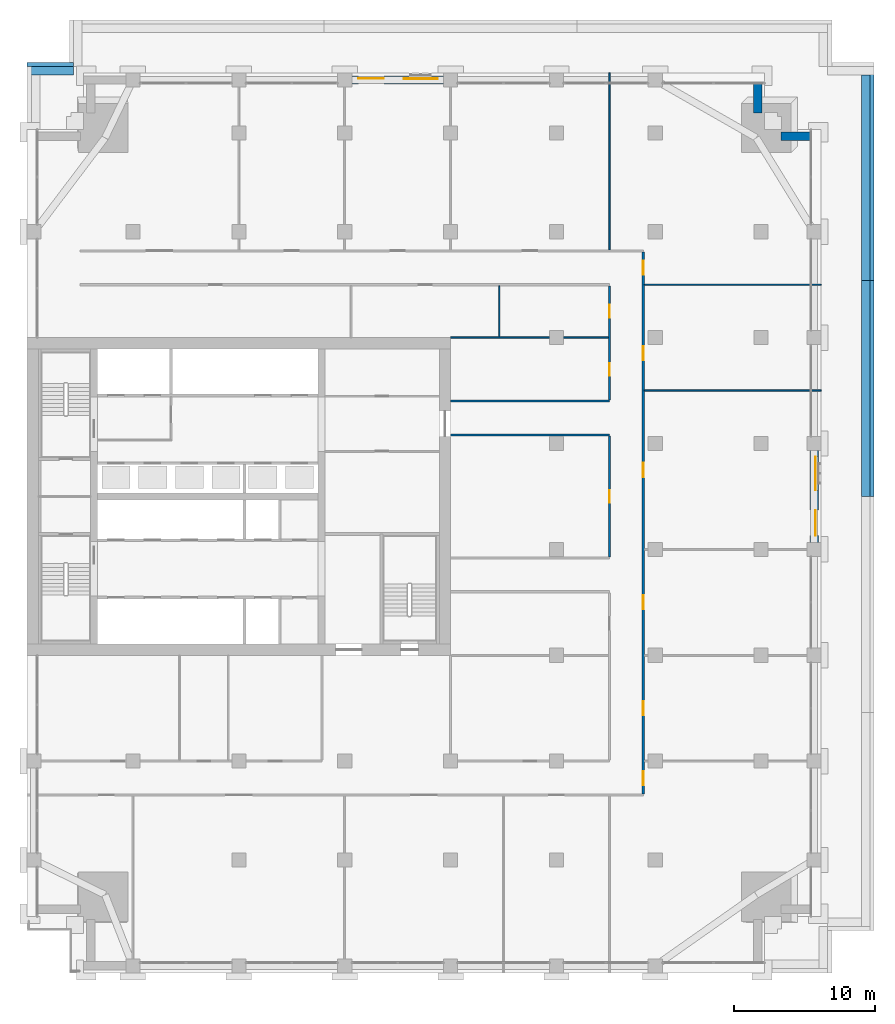
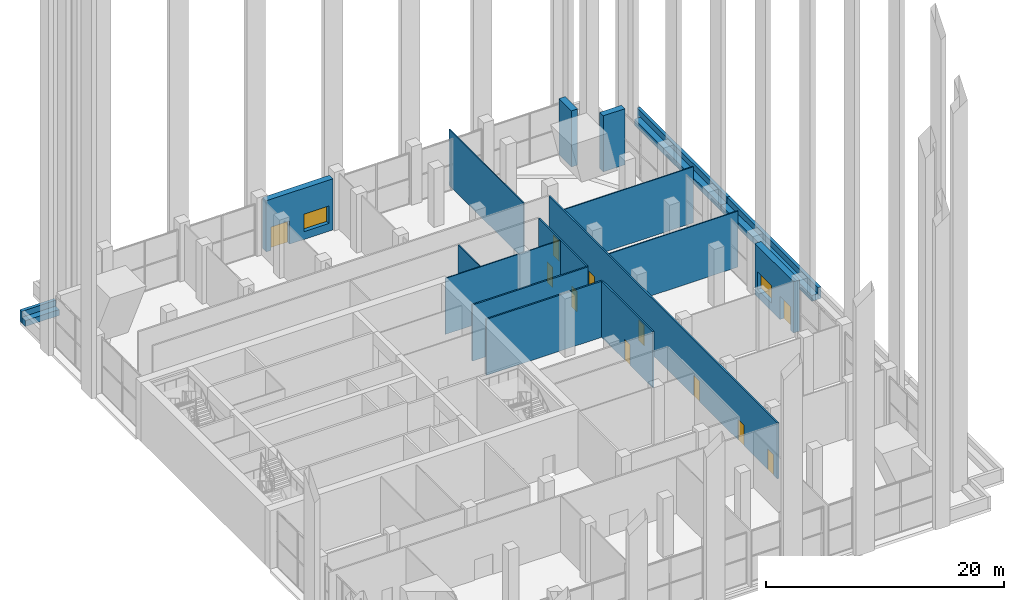
# One storey, part 15 of 23: 20 walls, 11 doors, 2 windows, 13 openings.
"""IFC4 building model written with IfcOpenShell, lengths in metres."""

from ifc_helpers import new_model, si_unit, direction, frame, frame_2d, origin, place, context, subcontext, project, spatial, rectangle, extrude, material, layer, layer_set, type_object, element, fill, save


model = new_model("IFC4")

# Units and contexts
model_context = context("Model", 3, precision=1e-05, world=origin(), true_north=direction((0.0, 1.0)))
body_context = subcontext(model_context, "Body", "Model", "MODEL_VIEW")
ifc_project = project(units=[si_unit("LENGTHUNIT", "METRE"), si_unit("AREAUNIT", "SQUARE_METRE"), si_unit("VOLUMEUNIT", "CUBIC_METRE"), si_unit("PLANEANGLEUNIT", "RADIAN"), si_unit("MASSUNIT", "GRAM", prefix="KILO")], contexts=[model_context])

# Site, building, storey
site_placement = place(None, origin())
site = spatial("IfcSite", under=ifc_project, at=site_placement, CompositionType="ELEMENT")
building_placement = place(site_placement, origin())
building = spatial("IfcBuilding", under=site, at=building_placement, Name="Tamorin Gate", CompositionType="ELEMENT")
storey_placement = place(building_placement, frame((0.0, 0.0, 124.199951171875)))
storey = spatial("IfcBuildingStorey", under=building, at=storey_placement, Name="L30", CompositionType="ELEMENT", Elevation=124.199951171875)

# Wall, openings, window, door
ifc_material_1 = material(Name="Precast concrete C40/50", Category="concrete")
ifc_layer_1 = layer(ifc_material_1, 0.60009765625)
ifc_layer_set_1 = layer_set([ifc_layer_1], Name="Precast concrete C40/50")
wall_type_1 = type_object("IfcWallType", Name="Board-marked concrete facade panel 600", PredefinedType="SOLIDWALL", material=ifc_layer_set_1)
wall_1_placement = place(storey_placement, frame((85.75, 68.0, 0.0), z_axis=(0.0, 0.0, 1.0), x_axis=(0.0, 1.0, 0.0)))
wall_1 = element("IfcWall", 1, at=wall_1_placement, inside=storey, type_object=wall_type_1, Name="Facade panel", PredefinedType="SOLIDWALL", context=body_context, shape_type="SweptSolid", body=[
    extrude(rectangle(XDim=6.5, YDim=0.60009765625, at=frame_2d((3.25, 0.0))), origin(), (0.0, 0.0, 1.0), 5.25),
])
opening_1_placement = place(wall_1_placement, frame((0.47509765625, 0.0, 0.0)))
opening_1 = element("IfcOpeningElement", 2, at=opening_1_placement, cuts=wall_1, Name="Opening DX1", PredefinedType="OPENING", context=body_context, shape_type="SweptSolid", body=[
    extrude(rectangle(XDim=1.800048828125, YDim=2.39990234375, at=frame_2d((0.89990234375, 1.199951171875))), frame((0.0, 0.31005859375, 0.0), z_axis=(0.0, -1.0, 0.0), x_axis=(1.0, 0.0, 0.0)), (0.0, 0.0, 1.0), 0.6201171875),
])
opening_2_placement = place(wall_1_placement, frame((3.675048828125, 0.0, 0.800048828125)))
opening_2 = element("IfcOpeningElement", 3, at=opening_2_placement, cuts=wall_1, Name="Opening WN1", PredefinedType="OPENING", context=body_context, shape_type="SweptSolid", body=[
    extrude(rectangle(XDim=2.39990234375, YDim=1.800048828125, at=frame_2d((1.199951171875, 0.89990234375))), frame((0.0, 0.31005859375, 0.0), z_axis=(0.0, -1.0, 0.0), x_axis=(1.0, 0.0, 0.0)), (0.0, 0.0, 1.0), 0.6201171875),
])
ifc_material_2 = material(Name="Clear glass in aluminium frame", Category="aluminium")
window_type = type_object("IfcWindowType", Name="Deep-set window 2400x1800", PartitioningType="SINGLE_PANEL", PredefinedType="WINDOW", material=ifc_material_2)
window_1_placement = place(opening_2_placement, origin())
window_1 = element("IfcWindow", 4, at=window_1_placement, inside=storey, type_object=window_type, Name="Deep-set window", OverallHeight=1.800048828125, OverallWidth=2.39990234375, PartitioningType="SINGLE_PANEL", PredefinedType="WINDOW", context=body_context, shape_type="SweptSolid", body=[
    extrude(rectangle(XDim=2.39990234375, YDim=1.800048828125, at=frame_2d((1.199951171875, 0.89990234375))), frame((0.0, -0.070068359375, 0.0), z_axis=(0.0, -1.0, 0.0), x_axis=(1.0, 0.0, 0.0)), (0.0, 0.0, 1.0), 0.06005859375),
])
fill(opening_2, window_1)
door_type_1 = type_object("IfcDoorType", Name="Terrace door 1800x2400", OperationType="DOUBLE_DOOR_SINGLE_SWING", PredefinedType="DOOR", material=ifc_material_2)
door_1_placement = place(opening_1_placement, origin())
door_1 = element("IfcDoor", 5, at=door_1_placement, inside=storey, type_object=door_type_1, Name="Terrace door", OperationType="SINGLE_SWING_LEFT", OverallHeight=2.39990234375, OverallWidth=1.800048828125, PredefinedType="DOOR", context=body_context, shape_type="SweptSolid", body=[
    extrude(rectangle(XDim=1.800048828125, YDim=2.39990234375, at=frame_2d((0.89990234375, 1.199951171875))), frame((0.0, -0.0751953125, 0.0), z_axis=(0.0, -1.0, 0.0), x_axis=(1.0, 0.0, 0.0)), (0.0, 0.0, 1.0), 0.050048828125),
])
fill(opening_1, door_1)

# Walls
for number, where, z_axis, x_axis, name in (
    (6, (85.51611328125, 96.75, 0.0), (0.0, 0.0, 1.0), (-1.0, 0.0, 0.0), "Facade panel"),
    (7, (81.75, 98.40625, 0.0), (0.0, 0.0, 1.0), (0.0, 1.0, 0.0), "Facade panel"),
):
    element("IfcWall", number, at=place(storey_placement, frame(where, z_axis=z_axis, x_axis=x_axis)), inside=storey, type_object=wall_type_1, Name=name, PredefinedType="SOLIDWALL", context=body_context, shape_type="SweptSolid", body=[
        extrude(rectangle(XDim=2.10986328125, YDim=0.60009765625, at=frame_2d((1.054931640625, 0.0))), origin(), (0.0, 0.0, 1.0), 5.75),
    ])

# Wall, openings, window, door
wall_2_placement = place(storey_placement, frame((59.5, 100.75, 0.0), z_axis=(0.0, 0.0, 1.0), x_axis=(-1.0, 0.0, 0.0)))
wall_2 = element("IfcWall", 8, at=wall_2_placement, inside=storey, type_object=wall_type_1, Name="Facade panel", PredefinedType="SOLIDWALL", context=body_context, shape_type="SweptSolid", body=[
    extrude(rectangle(XDim=6.5, YDim=0.60009765625, at=frame_2d((3.25, 0.0))), origin(), (0.0, 0.0, 1.0), 5.25),
])
opening_3_placement = place(wall_2_placement, frame((4.22509765625, 0.0, 0.0)))
opening_3 = element("IfcOpeningElement", 9, at=opening_3_placement, cuts=wall_2, Name="Opening DX1", PredefinedType="OPENING", context=body_context, shape_type="SweptSolid", body=[
    extrude(rectangle(XDim=1.800048828125, YDim=2.39990234375, at=frame_2d((0.89990234375, 1.199951171875))), frame((0.0, 0.31005859375, 0.0), z_axis=(0.0, -1.0, 0.0), x_axis=(1.0, 0.0, 0.0)), (0.0, 0.0, 1.0), 0.6201171875),
])
opening_4_placement = place(wall_2_placement, frame((0.425048828125, 0.0, 0.800048828125)))
opening_4 = element("IfcOpeningElement", 10, at=opening_4_placement, cuts=wall_2, Name="Opening WN1", PredefinedType="OPENING", context=body_context, shape_type="SweptSolid", body=[
    extrude(rectangle(XDim=2.39990234375, YDim=1.800048828125, at=frame_2d((1.199951171875, 0.89990234375))), frame((0.0, 0.31005859375, 0.0), z_axis=(0.0, -1.0, 0.0), x_axis=(1.0, 0.0, 0.0)), (0.0, 0.0, 1.0), 0.6201171875),
])
window_2_placement = place(opening_4_placement, origin())
window_2 = element("IfcWindow", 11, at=window_2_placement, inside=storey, type_object=window_type, Name="Deep-set window", OverallHeight=1.800048828125, OverallWidth=2.39990234375, PartitioningType="SINGLE_PANEL", PredefinedType="WINDOW", context=body_context, shape_type="SweptSolid", body=[
    extrude(rectangle(XDim=2.39990234375, YDim=1.800048828125, at=frame_2d((1.199951171875, 0.89990234375))), frame((0.0, -0.070068359375, 0.0), z_axis=(0.0, -1.0, 0.0), x_axis=(1.0, 0.0, 0.0)), (0.0, 0.0, 1.0), 0.06005859375),
])
fill(opening_4, window_2)
door_2_placement = place(opening_3_placement, origin())
door_2 = element("IfcDoor", 12, at=door_2_placement, inside=storey, type_object=door_type_1, Name="Terrace door", OperationType="SINGLE_SWING_LEFT", OverallHeight=2.39990234375, OverallWidth=1.800048828125, PredefinedType="DOOR", context=body_context, shape_type="SweptSolid", body=[
    extrude(rectangle(XDim=1.800048828125, YDim=2.39990234375, at=frame_2d((0.89990234375, 1.199951171875))), frame((0.0, -0.0751953125, 0.0), z_axis=(0.0, -1.0, 0.0), x_axis=(1.0, 0.0, 0.0)), (0.0, 0.0, 1.0), 0.050048828125),
])
fill(opening_3, door_2)

# Wall, opening, door
ifc_material_3 = material(Name="Gypsum board partition")
ifc_layer_2 = layer(ifc_material_3, 0.14990234375)
ifc_layer_set_2 = layer_set([ifc_layer_2], Name="Corridor wall 150")
wall_type_2 = type_object("IfcWallType", Name="Corridor wall 150", PredefinedType="PARTITIONING", material=ifc_layer_set_2)
wall_3_placement = place(storey_placement, frame((71.25, 66.97509765625, 0.0), z_axis=(0.0, 0.0, 1.0), x_axis=(0.0, 1.0, 0.0)))
wall_3 = element("IfcWall", 13, at=wall_3_placement, inside=storey, type_object=wall_type_2, Name="Corridor wall 150", PredefinedType="PARTITIONING", context=body_context, shape_type="SweptSolid", body=[
    extrude(rectangle(XDim=8.5498046875, YDim=0.14990234375, at=frame_2d((4.27490234375, 0.0))), origin(), (0.0, 0.0, 1.0), 5.75),
])
opening_5_placement = place(wall_3_placement, frame((3.824951171875, 0.0, 0.0)))
opening_5 = element("IfcOpeningElement", 14, at=opening_5_placement, cuts=wall_3, Name="Opening DSL1023", PredefinedType="OPENING", context=body_context, shape_type="SweptSolid", body=[
    extrude(rectangle(XDim=0.89990234375, YDim=2.10009765625, at=frame_2d((0.449951171875, 1.050048828125))), frame((0.0, 0.0849609375, 0.0), z_axis=(0.0, -1.0, 0.0), x_axis=(1.0, 0.0, 0.0)), (0.0, 0.0, 1.0), 0.169921875),
])
ifc_material_4 = material(Name="Timber door leaf", Category="wood")
door_type_2 = type_object("IfcDoorType", Name="Door 900 x 2100 FD30S", OperationType="NOTDEFINED", PredefinedType="DOOR", material=ifc_material_4)
door_3_placement = place(opening_5_placement, origin())
door_3 = element("IfcDoor", 15, at=door_3_placement, inside=storey, type_object=door_type_2, Name="Door DSL1023", OperationType="SINGLE_SWING_LEFT", OverallHeight=2.10009765625, OverallWidth=0.89990234375, PredefinedType="DOOR", context=body_context, shape_type="SweptSolid", body=[
    extrude(rectangle(XDim=0.89990234375, YDim=2.10009765625, at=frame_2d((0.449951171875, 1.050048828125))), frame((0.0, 0.02490234375, 0.0), z_axis=(0.0, -1.0, 0.0), x_axis=(1.0, 0.0, 0.0)), (0.0, 0.0, 1.0), 0.050048828125),
])
fill(opening_5, door_3)

# Wall, openings, doors
wall_4_placement = place(storey_placement, frame((71.25, 78.074951171875, 0.0), z_axis=(0.0, 0.0, 1.0), x_axis=(0.0, 1.0, 0.0)))
wall_4 = element("IfcWall", 16, at=wall_4_placement, inside=storey, type_object=wall_type_2, Name="Corridor wall 150", PredefinedType="PARTITIONING", context=body_context, shape_type="SweptSolid", body=[
    extrude(rectangle(XDim=8.10009765625, YDim=0.14990234375, at=frame_2d((4.050048828125, 0.0))), origin(), (0.0, 0.0, 1.0), 5.75),
])
opening_6_placement = place(wall_4_placement, frame((5.85009765625, 0.0, 0.0)))
opening_6 = element("IfcOpeningElement", 17, at=opening_6_placement, cuts=wall_4, Name="Opening DSL1021", PredefinedType="OPENING", context=body_context, shape_type="SweptSolid", body=[
    extrude(rectangle(XDim=0.89990234375, YDim=2.10009765625, at=frame_2d((0.449951171875, 1.050048828125))), frame((0.0, 0.0849609375, 0.0), z_axis=(0.0, -1.0, 0.0), x_axis=(1.0, 0.0, 0.0)), (0.0, 0.0, 1.0), 0.169921875),
])
opening_7_placement = place(wall_4_placement, frame((1.72509765625, 0.0, 0.0)))
opening_7 = element("IfcOpeningElement", 18, at=opening_7_placement, cuts=wall_4, Name="Opening DSL1024", PredefinedType="OPENING", context=body_context, shape_type="SweptSolid", body=[
    extrude(rectangle(XDim=0.89990234375, YDim=2.10009765625, at=frame_2d((0.449951171875, 1.050048828125))), frame((0.0, 0.0849609375, 0.0), z_axis=(0.0, -1.0, 0.0), x_axis=(1.0, 0.0, 0.0)), (0.0, 0.0, 1.0), 0.169921875),
])
door_4_placement = place(opening_6_placement, origin())
door_4 = element("IfcDoor", 19, at=door_4_placement, inside=storey, type_object=door_type_2, Name="Door DSL1021", OperationType="SINGLE_SWING_LEFT", OverallHeight=2.10009765625, OverallWidth=0.89990234375, PredefinedType="DOOR", context=body_context, shape_type="SweptSolid", body=[
    extrude(rectangle(XDim=0.89990234375, YDim=2.10009765625, at=frame_2d((0.449951171875, 1.050048828125))), frame((0.0, 0.02490234375, 0.0), z_axis=(0.0, -1.0, 0.0), x_axis=(1.0, 0.0, 0.0)), (0.0, 0.0, 1.0), 0.050048828125),
])
fill(opening_6, door_4)
door_5_placement = place(opening_7_placement, origin())
door_5 = element("IfcDoor", 20, at=door_5_placement, inside=storey, type_object=door_type_2, Name="Door DSL1024", OperationType="SINGLE_SWING_LEFT", OverallHeight=2.10009765625, OverallWidth=0.89990234375, PredefinedType="DOOR", context=body_context, shape_type="SweptSolid", body=[
    extrude(rectangle(XDim=0.89990234375, YDim=2.10009765625, at=frame_2d((0.449951171875, 1.050048828125))), frame((0.0, 0.02490234375, 0.0), z_axis=(0.0, -1.0, 0.0), x_axis=(1.0, 0.0, 0.0)), (0.0, 0.0, 1.0), 0.050048828125),
])
fill(opening_7, door_5)

wall_5_placement = place(storey_placement, frame((73.64990234375, 50.175048828125, 0.0), z_axis=(0.0, 0.0, 1.0), x_axis=(0.0, 1.0, 0.0)))
wall_5 = element("IfcWall", 21, at=wall_5_placement, inside=storey, type_object=wall_type_2, Name="Corridor wall 150", PredefinedType="PARTITIONING", context=body_context, shape_type="SweptSolid", body=[
    extrude(rectangle(XDim=38.39990234375, YDim=0.14990234375, at=frame_2d((19.199951171875, 0.0))), origin(), (0.0, 0.0, 1.0), 5.75),
])
opening_8_placement = place(wall_5_placement, frame((5.574951171875, 0.0, 0.0)))
opening_8 = element("IfcOpeningElement", 22, at=opening_8_placement, cuts=wall_5, Name="Opening DSL1009", PredefinedType="OPENING", context=body_context, shape_type="SweptSolid", body=[
    extrude(rectangle(XDim=1.0, YDim=2.10009765625, at=frame_2d((0.5, 1.050048828125))), frame((0.0, 0.0849609375, 0.0), z_axis=(0.0, -1.0, 0.0), x_axis=(1.0, 0.0, 0.0)), (0.0, 0.0, 1.0), 0.169921875),
])
opening_9_placement = place(wall_5_placement, frame((13.074951171875, 0.0, 0.0)))
opening_9 = element("IfcOpeningElement", 23, at=opening_9_placement, cuts=wall_5, Name="Opening DSL1010", PredefinedType="OPENING", context=body_context, shape_type="SweptSolid", body=[
    extrude(rectangle(XDim=1.0, YDim=2.10009765625, at=frame_2d((0.5, 1.050048828125))), frame((0.0, 0.0849609375, 0.0), z_axis=(0.0, -1.0, 0.0), x_axis=(1.0, 0.0, 0.0)), (0.0, 0.0, 1.0), 0.169921875),
])
opening_10_placement = place(wall_5_placement, frame((22.449951171875, 0.0, 0.0)))
opening_10 = element("IfcOpeningElement", 24, at=opening_10_placement, cuts=wall_5, Name="Opening DSL1011", PredefinedType="OPENING", context=body_context, shape_type="SweptSolid", body=[
    extrude(rectangle(XDim=1.0, YDim=2.10009765625, at=frame_2d((0.5, 1.050048828125))), frame((0.0, 0.0849609375, 0.0), z_axis=(0.0, -1.0, 0.0), x_axis=(1.0, 0.0, 0.0)), (0.0, 0.0, 1.0), 0.169921875),
])
opening_11_placement = place(wall_5_placement, frame((30.72509765625, 0.0, 0.0)))
opening_11 = element("IfcOpeningElement", 25, at=opening_11_placement, cuts=wall_5, Name="Opening DSL1012", PredefinedType="OPENING", context=body_context, shape_type="SweptSolid", body=[
    extrude(rectangle(XDim=1.0, YDim=2.10009765625, at=frame_2d((0.5, 1.050048828125))), frame((0.0, 0.0849609375, 0.0), z_axis=(0.0, -1.0, 0.0), x_axis=(1.0, 0.0, 0.0)), (0.0, 0.0, 1.0), 0.169921875),
])
opening_12_placement = place(wall_5_placement, frame((0.625, 0.0, 0.0)))
opening_12 = element("IfcOpeningElement", 26, at=opening_12_placement, cuts=wall_5, Name="Opening DSL1013", PredefinedType="OPENING", context=body_context, shape_type="SweptSolid", body=[
    extrude(rectangle(XDim=1.0, YDim=2.10009765625, at=frame_2d((0.5, 1.050048828125))), frame((0.0, 0.0849609375, 0.0), z_axis=(0.0, -1.0, 0.0), x_axis=(1.0, 0.0, 0.0)), (0.0, 0.0, 1.0), 0.169921875),
])
opening_13_placement = place(wall_5_placement, frame((36.77490234375, 0.0, 0.0)))
opening_13 = element("IfcOpeningElement", 27, at=opening_13_placement, cuts=wall_5, Name="Opening DSL1014", PredefinedType="OPENING", context=body_context, shape_type="SweptSolid", body=[
    extrude(rectangle(XDim=1.0, YDim=2.10009765625, at=frame_2d((0.5, 1.050048828125))), frame((0.0, 0.0849609375, 0.0), z_axis=(0.0, -1.0, 0.0), x_axis=(1.0, 0.0, 0.0)), (0.0, 0.0, 1.0), 0.169921875),
])
door_type_3 = type_object("IfcDoorType", Name="Door 1000 x 2100 FD30S", OperationType="NOTDEFINED", PredefinedType="DOOR", material=ifc_material_4)
door_6_placement = place(opening_8_placement, origin())
door_6 = element("IfcDoor", 28, at=door_6_placement, inside=storey, type_object=door_type_3, Name="Door DSL1009", OperationType="SINGLE_SWING_RIGHT", OverallHeight=2.10009765625, OverallWidth=1.0, PredefinedType="DOOR", context=body_context, shape_type="SweptSolid", body=[
    extrude(rectangle(XDim=1.0, YDim=2.10009765625, at=frame_2d((0.5, 1.050048828125))), frame((0.0, 0.02490234375, 0.0), z_axis=(0.0, -1.0, 0.0), x_axis=(1.0, 0.0, 0.0)), (0.0, 0.0, 1.0), 0.050048828125),
])
fill(opening_8, door_6)
door_7_placement = place(opening_9_placement, origin())
door_7 = element("IfcDoor", 29, at=door_7_placement, inside=storey, type_object=door_type_3, Name="Door DSL1010", OperationType="SINGLE_SWING_RIGHT", OverallHeight=2.10009765625, OverallWidth=1.0, PredefinedType="DOOR", context=body_context, shape_type="SweptSolid", body=[
    extrude(rectangle(XDim=1.0, YDim=2.10009765625, at=frame_2d((0.5, 1.050048828125))), frame((0.0, 0.02490234375, 0.0), z_axis=(0.0, -1.0, 0.0), x_axis=(1.0, 0.0, 0.0)), (0.0, 0.0, 1.0), 0.050048828125),
])
fill(opening_9, door_7)
door_8_placement = place(opening_10_placement, origin())
door_8 = element("IfcDoor", 30, at=door_8_placement, inside=storey, type_object=door_type_3, Name="Door DSL1011", OperationType="SINGLE_SWING_RIGHT", OverallHeight=2.10009765625, OverallWidth=1.0, PredefinedType="DOOR", context=body_context, shape_type="SweptSolid", body=[
    extrude(rectangle(XDim=1.0, YDim=2.10009765625, at=frame_2d((0.5, 1.050048828125))), frame((0.0, 0.02490234375, 0.0), z_axis=(0.0, -1.0, 0.0), x_axis=(1.0, 0.0, 0.0)), (0.0, 0.0, 1.0), 0.050048828125),
])
fill(opening_10, door_8)
door_9_placement = place(opening_11_placement, origin())
door_9 = element("IfcDoor", 31, at=door_9_placement, inside=storey, type_object=door_type_3, Name="Door DSL1012", OperationType="SINGLE_SWING_RIGHT", OverallHeight=2.10009765625, OverallWidth=1.0, PredefinedType="DOOR", context=body_context, shape_type="SweptSolid", body=[
    extrude(rectangle(XDim=1.0, YDim=2.10009765625, at=frame_2d((0.5, 1.050048828125))), frame((0.0, 0.02490234375, 0.0), z_axis=(0.0, -1.0, 0.0), x_axis=(1.0, 0.0, 0.0)), (0.0, 0.0, 1.0), 0.050048828125),
])
fill(opening_11, door_9)
door_10_placement = place(opening_12_placement, origin())
door_10 = element("IfcDoor", 32, at=door_10_placement, inside=storey, type_object=door_type_3, Name="Door DSL1013", OperationType="SINGLE_SWING_LEFT", OverallHeight=2.10009765625, OverallWidth=1.0, PredefinedType="DOOR", context=body_context, shape_type="SweptSolid", body=[
    extrude(rectangle(XDim=1.0, YDim=2.10009765625, at=frame_2d((0.5, 1.050048828125))), frame((0.0, 0.02490234375, 0.0), z_axis=(0.0, -1.0, 0.0), x_axis=(1.0, 0.0, 0.0)), (0.0, 0.0, 1.0), 0.050048828125),
])
fill(opening_12, door_10)
door_11_placement = place(opening_13_placement, origin())
door_11 = element("IfcDoor", 33, at=door_11_placement, inside=storey, type_object=door_type_3, Name="Door DSL1014", OperationType="SINGLE_SWING_LEFT", OverallHeight=2.10009765625, OverallWidth=1.0, PredefinedType="DOOR", context=body_context, shape_type="SweptSolid", body=[
    extrude(rectangle(XDim=1.0, YDim=2.10009765625, at=frame_2d((0.5, 1.050048828125))), frame((0.0, 0.02490234375, 0.0), z_axis=(0.0, -1.0, 0.0), x_axis=(1.0, 0.0, 0.0)), (0.0, 0.0, 1.0), 0.050048828125),
])
fill(opening_13, door_11)

# Walls
ifc_layer_3 = layer(ifc_material_3, 0.14990234375)
ifc_layer_set_3 = layer_set([ifc_layer_3], Name="Lobby wall 150")
wall_type_3 = type_object("IfcWallType", Name="Lobby wall 150", PredefinedType="PARTITIONING", material=ifc_layer_set_3)
for number, where, z_axis, x_axis, name in (
    (34, (60.0, 75.60009765625, 0.0), (0.0, 0.0, 1.0), (1.0, 0.0, 0.0), "Lobby wall 150"),
    (35, (60.0, 78.0, 0.0), (0.0, 0.0, 1.0), (1.0, 0.0, 0.0), "Lobby wall 150"),
):
    element("IfcWall", number, at=place(storey_placement, frame(where, z_axis=z_axis, x_axis=x_axis)), inside=storey, type_object=wall_type_3, Name=name, PredefinedType="PARTITIONING", context=body_context, shape_type="SweptSolid", body=[
        extrude(rectangle(XDim=11.25, YDim=0.14990234375, at=frame_2d((5.625, 0.0))), origin(), (0.0, 0.0, 1.0), 5.75),
    ])
ifc_layer_4 = layer(ifc_material_3, 0.10009765625)
ifc_layer_set_4 = layer_set([ifc_layer_4], Name="Room partition 100")
wall_type_4 = type_object("IfcWallType", Name="Room partition 100", PredefinedType="PARTITIONING", material=ifc_layer_set_4)
wall_6_placement = place(storey_placement, frame((73.72509765625, 78.75, 0.0), z_axis=(0.0, 0.0, 1.0), x_axis=(1.0, 0.0, 0.0)))
element("IfcWall", 36, at=wall_6_placement, inside=storey, type_object=wall_type_4, Name="Room partition 100", PredefinedType="PARTITIONING", context=body_context, shape_type="SweptSolid", body=[
    extrude(rectangle(XDim=12.52490234375, YDim=0.10009765625, at=frame_2d((6.262451171875, 0.0))), origin(), (0.0, 0.0, 1.0), 5.75),
])
wall_7_placement = place(storey_placement, frame((60.0, 82.5, 0.0), z_axis=(0.0, 0.0, 1.0), x_axis=(1.0, 0.0, 0.0)))
element("IfcWall", 37, at=wall_7_placement, inside=storey, type_object=wall_type_4, Name="Room partition 100", PredefinedType="PARTITIONING", context=body_context, shape_type="SweptSolid", body=[
    extrude(rectangle(XDim=11.175048828125, YDim=0.10009765625, at=frame_2d((5.58740234375, 0.0))), origin(), (0.0, 0.0, 1.0), 5.75),
])
wall_8_placement = place(storey_placement, frame((73.72509765625, 86.25, 0.0), z_axis=(0.0, 0.0, 1.0), x_axis=(1.0, 0.0, 0.0)))
element("IfcWall", 38, at=wall_8_placement, inside=storey, type_object=wall_type_4, Name="Room partition 100", PredefinedType="PARTITIONING", context=body_context, shape_type="SweptSolid", body=[
    extrude(rectangle(XDim=12.52490234375, YDim=0.10009765625, at=frame_2d((6.262451171875, 0.0))), origin(), (0.0, 0.0, 1.0), 5.75),
])
wall_9_placement = place(storey_placement, frame((63.449951171875, 82.550048828125, 0.0), z_axis=(0.0, 0.0, 1.0), x_axis=(0.0, 1.0, 0.0)))
element("IfcWall", 39, at=wall_9_placement, inside=storey, type_object=wall_type_4, Name="Room partition 100", PredefinedType="PARTITIONING", context=body_context, shape_type="SweptSolid", body=[
    extrude(rectangle(XDim=3.625, YDim=0.10009765625, at=frame_2d((1.8125, 0.0))), origin(), (0.0, 0.0, 1.0), 5.75),
])
wall_10_placement = place(storey_placement, frame((71.25, 88.72509765625, 0.0), z_axis=(0.0, 0.0, 1.0), x_axis=(0.0, 1.0, 0.0)))
element("IfcWall", 40, at=wall_10_placement, inside=storey, type_object=wall_type_4, Name="Room partition 100", PredefinedType="PARTITIONING", context=body_context, shape_type="SweptSolid", body=[
    extrude(rectangle(XDim=12.52490234375, YDim=0.10009765625, at=frame_2d((6.262451171875, 0.0))), origin(), (0.0, 0.0, 1.0), 5.75),
])
ifc_layer_5 = layer(ifc_material_1, 0.300048828125)
ifc_layer_set_5 = layer_set([ifc_layer_5], Name="Terrace parapet 300")
wall_type_5 = type_object("IfcWallType", Name="Terrace parapet 300", PredefinedType="PARAPET", material=ifc_layer_set_5)
wall_11_placement = place(storey_placement, frame((30.0, 101.85009765625, 0.0), z_axis=(0.0, 0.0, 1.0), x_axis=(1.0, 0.0, 0.0)))
element("IfcWall", 41, at=wall_11_placement, inside=storey, type_object=wall_type_5, Name="Terrace parapet", PredefinedType="PARAPET", context=body_context, shape_type="SweptSolid", body=[
    extrude(rectangle(XDim=3.300048828125, YDim=0.300048828125, at=frame_2d((1.64990234375, 0.0))), origin(), (0.0, 0.0, 1.0), 1.199951171875),
])
wall_12_placement = place(storey_placement, frame((89.85009765625, 86.550048828125, 0.0), z_axis=(0.0, 0.0, 1.0), x_axis=(0.0, 1.0, 0.0)))
element("IfcWall", 42, at=wall_12_placement, inside=storey, type_object=wall_type_5, Name="Terrace parapet", PredefinedType="PARAPET", context=body_context, shape_type="SweptSolid", body=[
    extrude(rectangle(XDim=15.14990234375, YDim=0.300048828125, at=frame_2d((7.574951171875, 0.0))), origin(), (0.0, 0.0, 1.0), 1.199951171875),
])
wall_13_placement = place(storey_placement, frame((89.85009765625, 71.25, 0.0), z_axis=(0.0, 0.0, 1.0), x_axis=(0.0, 1.0, 0.0)))
element("IfcWall", 43, at=wall_13_placement, inside=storey, type_object=wall_type_5, Name="Terrace parapet", PredefinedType="PARAPET", context=body_context, shape_type="SweptSolid", body=[
    extrude(rectangle(XDim=15.300048828125, YDim=0.300048828125, at=frame_2d((7.64990234375, 0.0))), origin(), (0.0, 0.0, 1.0), 1.199951171875),
])
ifc_layer_6 = layer(ifc_material_1, 0.60009765625)
ifc_layer_set_6 = layer_set([ifc_layer_6], Name="Terrace planter wall 600")
wall_type_6 = type_object("IfcWallType", Name="Terrace planter wall 600", PredefinedType="STANDARD", material=ifc_layer_set_6)
wall_14_placement = place(storey_placement, frame((30.0, 101.39990234375, 0.0), z_axis=(0.0, 0.0, 1.0), x_axis=(1.0, 0.0, 0.0)))
element("IfcWall", 44, at=wall_14_placement, inside=storey, type_object=wall_type_6, Name="PLANTER wall", PredefinedType="STANDARD", context=body_context, shape_type="SweptSolid", body=[
    extrude(rectangle(XDim=3.300048828125, YDim=0.60009765625, at=frame_2d((1.64990234375, 0.0))), origin(), (0.0, 0.0, 1.0), 0.60009765625),
])
wall_15_placement = place(storey_placement, frame((89.39990234375, 101.10009765625, 0.0), z_axis=(0.0, 0.0, 1.0), x_axis=(0.0, -1.0, 0.0)))
element("IfcWall", 45, at=wall_15_placement, inside=storey, type_object=wall_type_6, Name="PLANTER wall", PredefinedType="STANDARD", context=body_context, shape_type="SweptSolid", body=[
    extrude(rectangle(XDim=14.550048828125, YDim=0.60009765625, at=frame_2d((7.27490234375, 0.0))), origin(), (0.0, 0.0, 1.0), 0.60009765625),
])
wall_16_placement = place(storey_placement, frame((89.39990234375, 86.550048828125, 0.0), z_axis=(0.0, 0.0, 1.0), x_axis=(0.0, -1.0, 0.0)))
element("IfcWall", 46, at=wall_16_placement, inside=storey, type_object=wall_type_6, Name="PLANTER wall", PredefinedType="STANDARD", context=body_context, shape_type="SweptSolid", body=[
    extrude(rectangle(XDim=15.300048828125, YDim=0.60009765625, at=frame_2d((7.64990234375, 0.0))), origin(), (0.0, 0.0, 1.0), 0.60009765625),
])

save(model, "model.ifc")
